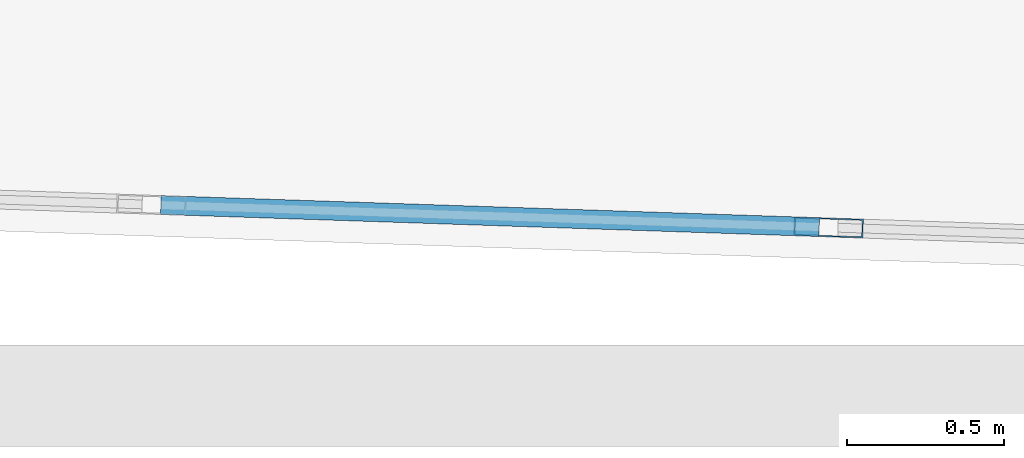
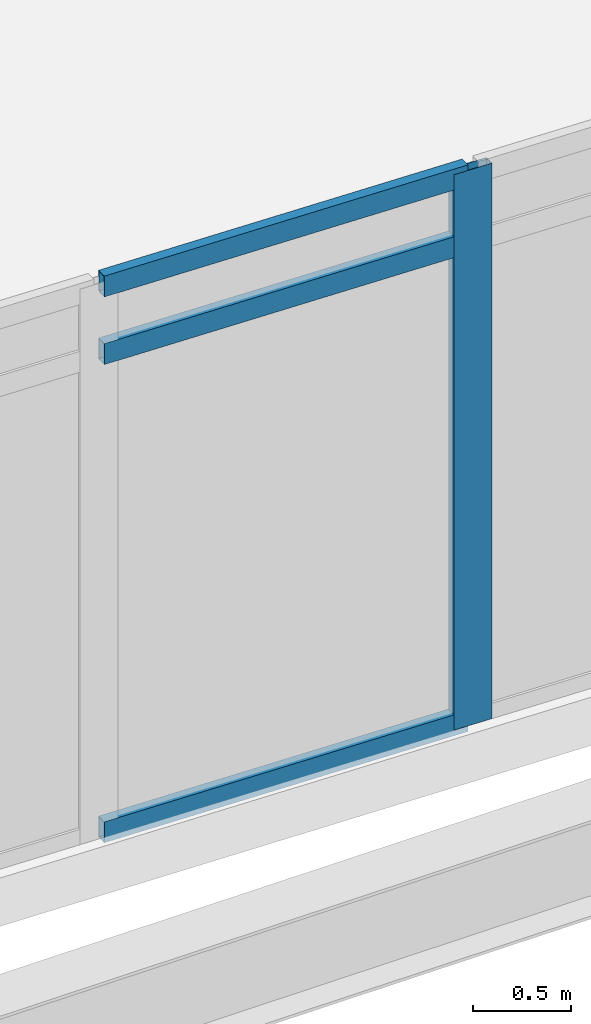
# One storey, part 5 of 38: 4 members, 1 element without a shape of its own.
"""IFC4 building model written with IfcOpenShell, lengths in metres."""

from ifc_helpers import new_model, si_unit, direction, frame, origin, origin_2d, place, context, subcontext, project, spatial, hollow_rectangle, extrude, material, material_profile, profile_set, type_object, element, aggregate, save


model = new_model("IFC4")

# Units and contexts
model_context = context("Model", 3, precision=1e-05, world=origin(), true_north=direction((0.0, 1.0)))
body_context = subcontext(model_context, "Body", "Model", "MODEL_VIEW")
ifc_project = project(units=[si_unit("LENGTHUNIT", "METRE"), si_unit("AREAUNIT", "SQUARE_METRE"), si_unit("VOLUMEUNIT", "CUBIC_METRE"), si_unit("PLANEANGLEUNIT", "RADIAN"), si_unit("MASSUNIT", "GRAM", prefix="KILO")], contexts=[model_context])

# Site, building, storey
site_placement = place(None, origin())
site = spatial("IfcSite", under=ifc_project, at=site_placement, CompositionType="ELEMENT")
building_placement = place(site_placement, origin())
building = spatial("IfcBuilding", under=site, at=building_placement, Name="Ostrander Bayou Hotel Tower", CompositionType="ELEMENT")
storey_placement = place(building_placement, frame((0.0, 0.0, 194.5)))
storey = spatial("IfcBuildingStorey", under=building, at=storey_placement, Name="L48", CompositionType="ELEMENT", Elevation=194.5)

# Curtain wall, members
ifc_material_1 = material(Name="Aluminium and clear glass", Category="aluminium")
curtain_wall_type = type_object("IfcCurtainWallType", Name="CW-BAR glazed wall", PredefinedType="NOTDEFINED", material=ifc_material_1)
curtain_wall_placement = place(storey_placement, origin())
curtain_wall = element("IfcCurtainWall", 1, at=curtain_wall_placement, inside=storey, type_object=curtain_wall_type, Name="CW-BAR L48:SB4S:T", PredefinedType="NOTDEFINED")
ifc_material_2 = material(Name="Aluminium", Category="aluminium")
ifc_material_profile_1 = material_profile(ifc_material_2, hollow_rectangle(XDim=0.06005859375, YDim=0.219970703125, WallThickness=0.00390625, at=origin_2d()))
ifc_profile_set_1 = profile_set([ifc_material_profile_1], Name="Aluminium")
member_type_1 = type_object("IfcMemberType", Name="CW-BR mullion 60 x 220 mm", PredefinedType="MULLION", material=ifc_profile_set_1)
member_1_placement = place(storey_placement, frame((-1.077880859375, -29.61376953125, 0.0), z_axis=(0.0, 0.0, 1.0), x_axis=(0.03350511268, 0.999438546097, 0.0)))
member_1 = element("IfcMember", 2, at=member_1_placement, type_object=member_type_1, Name="CW-BAR mullion 6", PredefinedType="MULLION", context=body_context, shape_type="SweptSolid", body=[
    extrude(hollow_rectangle(XDim=0.06005859375, YDim=0.219970703125, WallThickness=0.00390625, at=origin_2d()), origin(), (0.0, 0.0, 1.0), 3.449951171875),
])
ifc_material_3 = material(Name="Aluminium", Category="aluminium")
ifc_material_profile_2 = material_profile(ifc_material_3, hollow_rectangle(XDim=0.06005859375, YDim=0.1298828125, WallThickness=0.00390625, at=origin_2d()))
ifc_profile_set_2 = profile_set([ifc_material_profile_2], Name="Aluminium")
member_type_2 = type_object("IfcMemberType", Name="CW-BR transom 60 x 130 mm", PredefinedType="USERDEFINED", material=ifc_profile_set_2)
member_2_placement = place(storey_placement, frame((-3.203857421875, -29.54248046875, 0.030029296875), z_axis=(0.99943777778, -0.033528023297, 0.0), x_axis=(0.033528023297, 0.99943777778, 0.0)))
member_2 = element("IfcMember", 3, at=member_2_placement, type_object=member_type_2, Name="CW-BAR transom 5.1", ObjectType="TRANSOM", PredefinedType="USERDEFINED", context=body_context, shape_type="SweptSolid", body=[
    extrude(hollow_rectangle(XDim=0.06005859375, YDim=0.1298828125, WallThickness=0.00390625, at=origin_2d()), origin(), (0.0, 0.0, 1.0), 2.09716796875),
])
member_3_placement = place(storey_placement, frame((-3.203857421875, -29.54248046875, 3.0), z_axis=(0.99943777778, -0.033528023297, 0.0), x_axis=(0.033528023297, 0.99943777778, 0.0)))
member_3 = element("IfcMember", 4, at=member_3_placement, type_object=member_type_2, Name="CW-BAR transom 5.2", ObjectType="TRANSOM", PredefinedType="USERDEFINED", context=body_context, shape_type="SweptSolid", body=[
    extrude(hollow_rectangle(XDim=0.06005859375, YDim=0.1298828125, WallThickness=0.00390625, at=origin_2d()), origin(), (0.0, 0.0, 1.0), 2.09716796875),
])
member_4_placement = place(storey_placement, frame((-3.203857421875, -29.54248046875, 3.419921875), z_axis=(0.99943777778, -0.033528023297, 0.0), x_axis=(0.033528023297, 0.99943777778, 0.0)))
member_4 = element("IfcMember", 5, at=member_4_placement, type_object=member_type_2, Name="CW-BAR transom 5.3", ObjectType="TRANSOM", PredefinedType="USERDEFINED", context=body_context, shape_type="SweptSolid", body=[
    extrude(hollow_rectangle(XDim=0.06005859375, YDim=0.1298828125, WallThickness=0.00390625, at=origin_2d()), origin(), (0.0, 0.0, 1.0), 2.09716796875),
])
aggregate(curtain_wall, [member_1, member_2, member_3, member_4])

save(model, "model.ifc")
